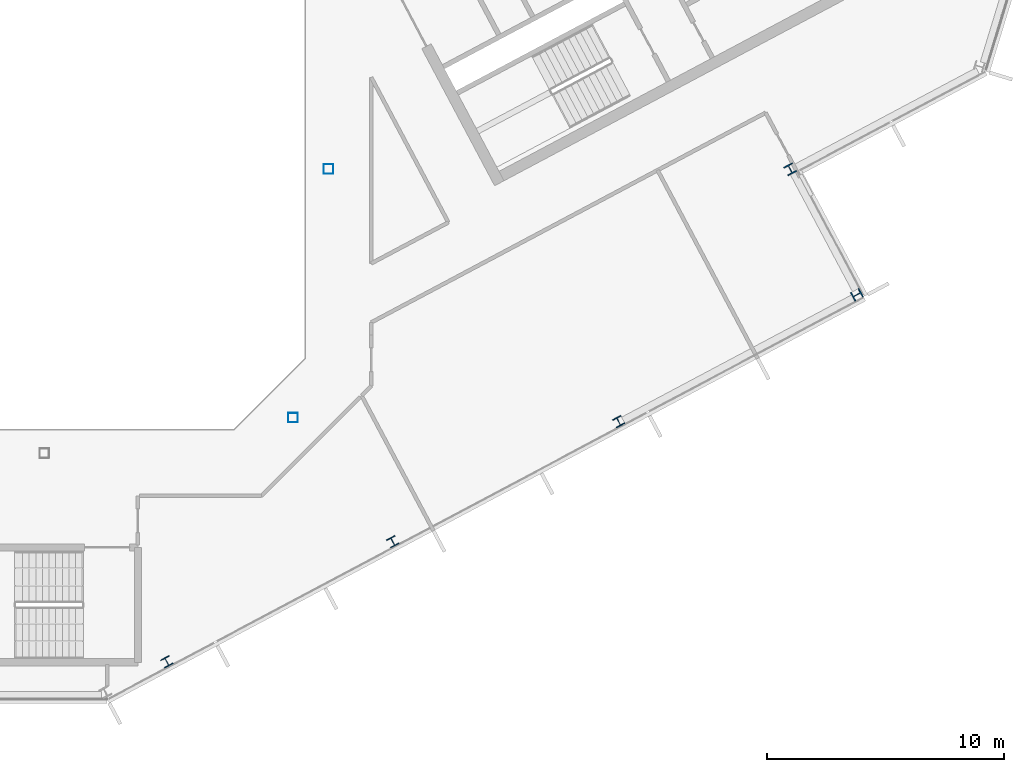
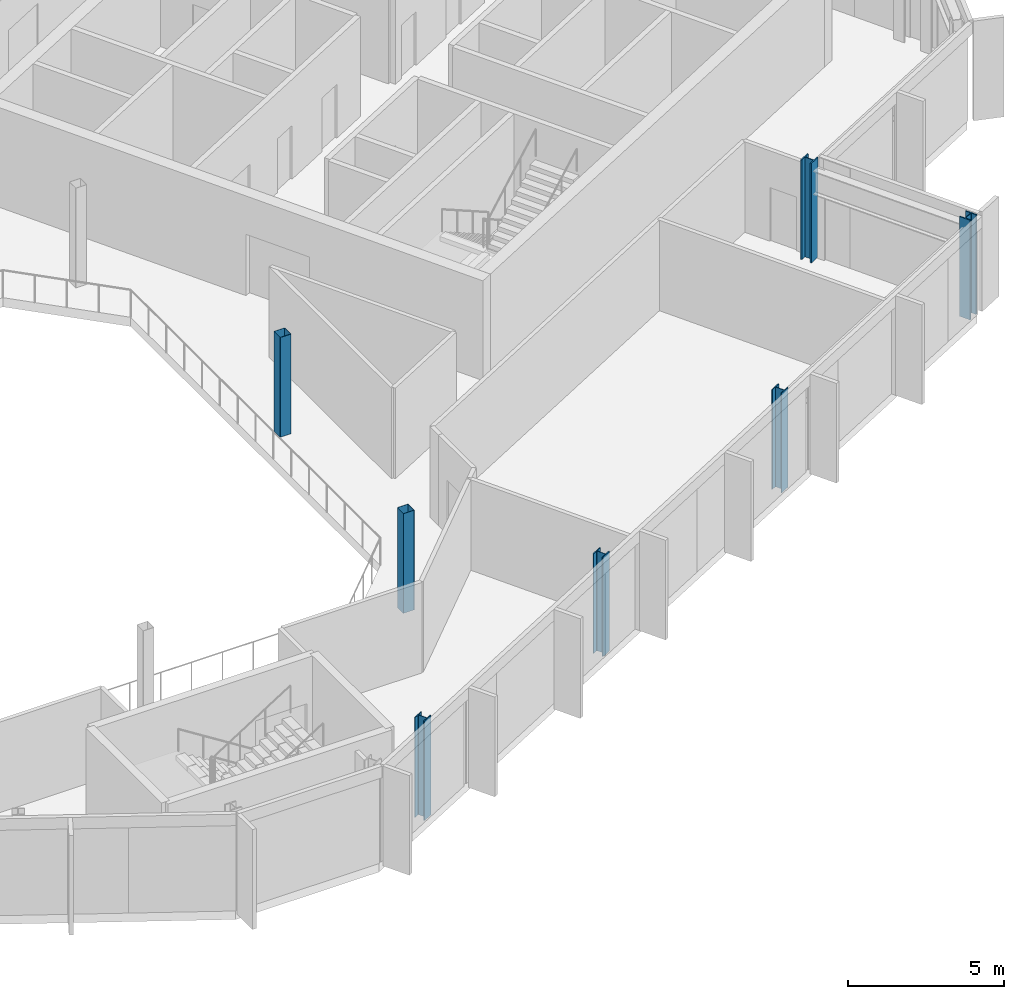
# One storey, part 5 of 26: 7 columns.
"""IFC4 building model written with IfcOpenShell, lengths in metres."""

from ifc_helpers import new_model, si_unit, direction, frame, origin, origin_2d, place, context, subcontext, project, spatial, hollow_rectangle, i_section, extrude, material, material_profile, profile_set, type_object, element, save


model = new_model("IFC4")

# Units and contexts
model_context = context("Model", 3, precision=1e-05, world=origin(), true_north=direction((0.0, 1.0)))
body_context = subcontext(model_context, "Body", "Model", "MODEL_VIEW")
ifc_project = project(units=[si_unit("LENGTHUNIT", "METRE"), si_unit("AREAUNIT", "SQUARE_METRE"), si_unit("VOLUMEUNIT", "CUBIC_METRE"), si_unit("PLANEANGLEUNIT", "RADIAN"), si_unit("MASSUNIT", "GRAM", prefix="KILO")], contexts=[model_context])

# Site, building, storey
site_placement = place(None, origin())
site = spatial("IfcSite", under=ifc_project, at=site_placement, CompositionType="ELEMENT")
building_placement = place(site_placement, origin())
building = spatial("IfcBuilding", under=site, at=building_placement, Name="Cormorant Relay Tower", CompositionType="ELEMENT")
storey_placement = place(building_placement, frame((0.0, 0.0, 277.5)))
storey = spatial("IfcBuildingStorey", under=building, at=storey_placement, Name="L62", CompositionType="ELEMENT", Elevation=277.5)

# Columns
ifc_material_1 = material(Name="Steel ASTM A500 Grade C (Fy 345 MPa)", Category="steel")
ifc_material_profile_1 = material_profile(ifc_material_1, hollow_rectangle(XDim=0.406494140625, YDim=0.406494140625, WallThickness=0.0087890625, InnerFilletRadius=0.00439453125, OuterFilletRadius=0.01318359375, at=origin_2d()), Name="HSS406x406x9")
ifc_profile_set_1 = profile_set([ifc_material_profile_1], Name="Steel ASTM A500 Grade C (Fy 345 MPa)")
column_type_1 = type_object("IfcColumnType", Name="Column HSS406x406x9", PredefinedType="COLUMN", material=ifc_profile_set_1)
for number, where, z_axis, x_axis, name in (
    (1, (10.5, -10.5, 0.0), (0.0, 0.0, 1.0), (1.0, 0.0, 0.0), "Column L62-010"),
    (2, (12.0, 0.0, 0.0), (0.0, 0.0, 1.0), (1.0, 0.0, 0.0), "Column L62-016"),
):
    element("IfcColumn", number, at=place(storey_placement, frame(where, z_axis=z_axis, x_axis=x_axis)), inside=storey, type_object=column_type_1, Name=name, PredefinedType="COLUMN", context=body_context, shape_type="SweptSolid", body=[
        extrude(hollow_rectangle(XDim=0.406494140625, YDim=0.406494140625, WallThickness=0.0087890625, InnerFilletRadius=0.00439453125, OuterFilletRadius=0.01318359375, at=origin_2d()), origin(), (0.0, 0.0, 1.0), 3.89990234375),
    ])
ifc_material_2 = material(Name="Steel ASTM A992 (Fy 345 MPa)", Category="steel")
ifc_material_profile_2 = material_profile(ifc_material_2, i_section(OverallWidth=0.398681640625, OverallDepth=0.385986328125, WebThickness=0.02099609375, FlangeThickness=0.033203125, FilletRadius=0.01513671875, at=origin_2d()), Name="W360x262")
ifc_profile_set_2 = profile_set([ifc_material_profile_2], Name="Steel ASTM A992 (Fy 345 MPa)")
column_type_2 = type_object("IfcColumnType", Name="Column W360x262", PredefinedType="COLUMN", material=ifc_profile_set_2)
for number, where, z_axis, x_axis, name in (
    (3, (5.174072265625, -20.806884765625, 0.0), (0.0, 0.0, 1.0), (0.882947592859, 0.469471562786, 0.0), "Column L62-003"),
    (4, (14.7099609375, -15.736083984375, 0.0), (0.0, 0.0, 1.0), (0.882947592859, 0.469471562786, 0.0), "Column L62-005"),
    (5, (24.2451171875, -10.666015625, 0.0), (0.0, 0.0, 1.0), (0.882947592859, 0.469471562786, 0.0), "Column L62-008"),
):
    element("IfcColumn", number, at=place(storey_placement, frame(where, z_axis=z_axis, x_axis=x_axis)), inside=storey, type_object=column_type_2, Name=name, PredefinedType="COLUMN", context=body_context, shape_type="SweptSolid", body=[
        extrude(i_section(OverallWidth=0.398681640625, OverallDepth=0.385986328125, WebThickness=0.02099609375, FlangeThickness=0.033203125, FilletRadius=0.01513671875, at=origin_2d()), origin(), (0.0, 0.0, 1.0), 3.89990234375),
    ])
ifc_material_3 = material(Name="Steel ASTM A992 (Fy 345 MPa)", Category="steel")
ifc_material_profile_3 = material_profile(ifc_material_3, i_section(OverallWidth=0.40380859375, OverallDepth=0.406494140625, WebThickness=0.027099609375, FlangeThickness=0.043701171875, FilletRadius=0.01513671875, at=origin_2d()), Name="W360x347")
ifc_profile_set_3 = profile_set([ifc_material_profile_3], Name="Steel ASTM A992 (Fy 345 MPa)")
column_type_3 = type_object("IfcColumnType", Name="Column W360x347", PredefinedType="COLUMN", material=ifc_profile_set_3)
for number, where, z_axis, x_axis, name in (
    (6, (34.303955078125, -5.31201171875, 0.0), (0.0, 0.0, 1.0), (-0.469471562786, 0.882947592859, 0.0), "Column L62-012"),
    (7, (31.487060546875, -0.013916015625, 0.0), (0.0, 0.0, 1.0), (0.882947592859, 0.469471562786, 0.0), "Column L62-014"),
):
    element("IfcColumn", number, at=place(storey_placement, frame(where, z_axis=z_axis, x_axis=x_axis)), inside=storey, type_object=column_type_3, Name=name, PredefinedType="COLUMN", context=body_context, shape_type="SweptSolid", body=[
        extrude(i_section(OverallWidth=0.40380859375, OverallDepth=0.406494140625, WebThickness=0.027099609375, FlangeThickness=0.043701171875, FilletRadius=0.01513671875, at=origin_2d()), origin(), (0.0, 0.0, 1.0), 3.89990234375),
    ])

save(model, "model.ifc")
